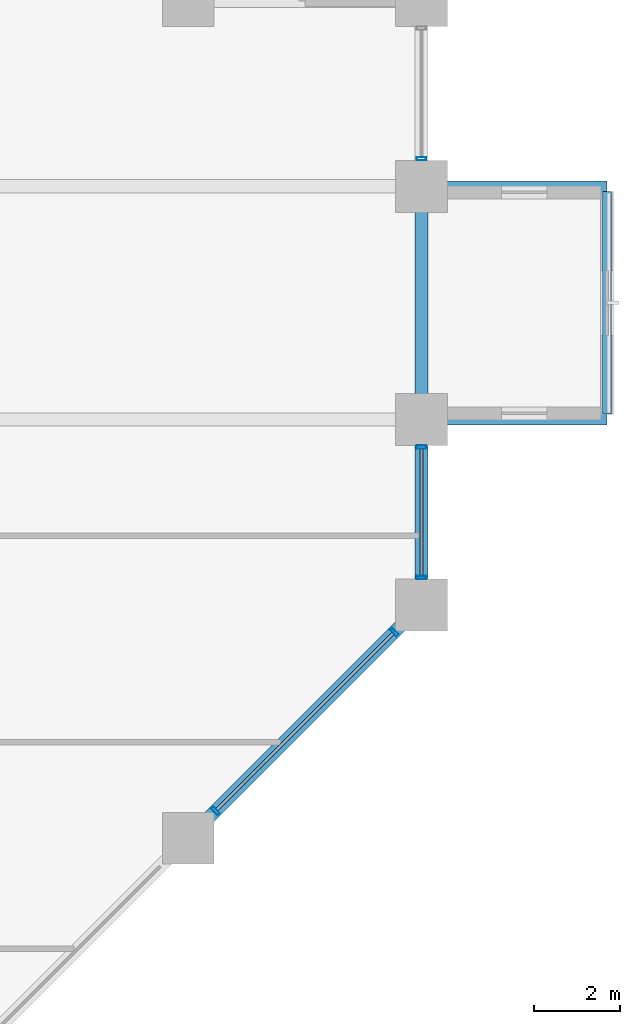
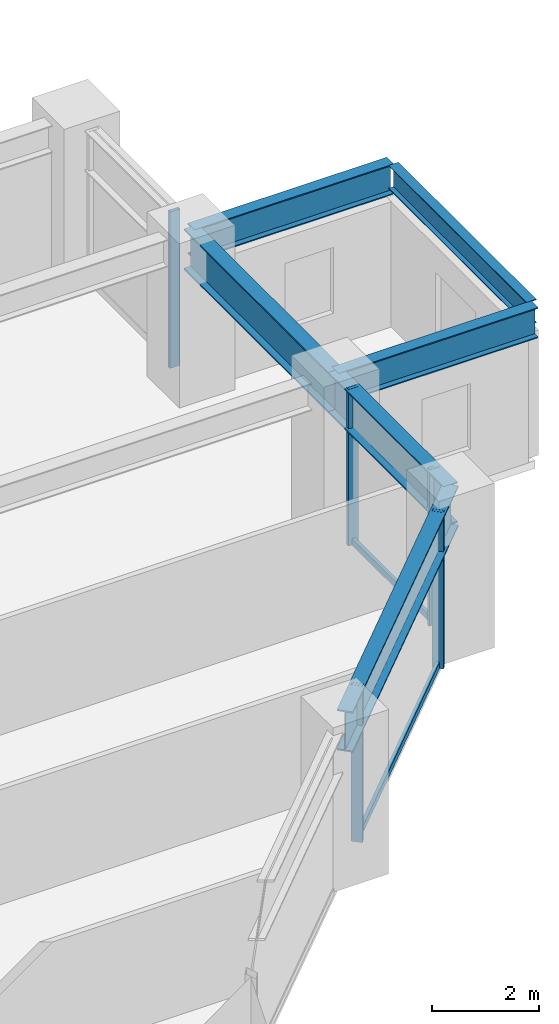
# One storey, part 17 of 28: 7 members, 6 beams, 3 elements without a shape of their own.
"""IFC4 building model written with IfcOpenShell, lengths in metres."""

from ifc_helpers import new_model, si_unit, direction, frame, origin, origin_2d, place, context, subcontext, project, spatial, hollow_rectangle, i_section, extrude, material, layer, layer_set, material_profile, profile_set, type_object, element, aggregate, save


model = new_model("IFC4")

# Units and contexts
model_context = context("Model", 3, precision=1e-05, world=origin(), true_north=direction((0.0, 1.0)))
body_context = subcontext(model_context, "Body", "Model", "MODEL_VIEW")
ifc_project = project(units=[si_unit("LENGTHUNIT", "METRE"), si_unit("AREAUNIT", "SQUARE_METRE"), si_unit("VOLUMEUNIT", "CUBIC_METRE"), si_unit("PLANEANGLEUNIT", "RADIAN"), si_unit("MASSUNIT", "GRAM", prefix="KILO")], contexts=[model_context])

# Site, building, storey
site_placement = place(None, origin())
site = spatial("IfcSite", under=ifc_project, at=site_placement, CompositionType="ELEMENT")
building_placement = place(site_placement, origin())
building = spatial("IfcBuilding", under=site, at=building_placement, Name="Surkhivell Harbour Commons", CompositionType="ELEMENT")
storey_placement = place(building_placement, frame((0.0, 0.0, 63.75)))
storey = spatial("IfcBuildingStorey", under=building, at=storey_placement, Name="L16", CompositionType="ELEMENT", Elevation=63.75)

# Beams
ifc_material_1 = material(Name="Steel S460", Category="steel")
ifc_material_profile_1 = material_profile(ifc_material_1, i_section(OverallWidth=0.256103515625, OverallDepth=0.693115234375, WebThickness=0.014404296875, FlangeThickness=0.023681640625, at=origin_2d()), Name="UB686x254x170")
ifc_profile_set_1 = profile_set([ifc_material_profile_1], Name="Steel S460")
beam_type_1 = type_object("IfcBeamType", Name="BM-CNT-686", PredefinedType="BEAM", material=ifc_profile_set_1)
for number, where, z_axis, x_axis, name in (
    (1, (32.39990234375, 10.800048828125, 3.223388671875), (1.0, 0.0, 0.0), (0.0, 1.0, 0.0), "L16 Box Cantilever Outrigger (32.4,10.8)"),
    (2, (32.39990234375, 16.199951171875, 3.223388671875), (1.0, 0.0, 0.0), (0.0, 1.0, 0.0), "L16 Box Cantilever Outrigger (32.4,16.2)"),
):
    element("IfcBeam", number, at=place(storey_placement, frame(where, z_axis=z_axis, x_axis=x_axis)), inside=storey, type_object=beam_type_1, Name=name, PredefinedType="BEAM", context=body_context, shape_type="SweptSolid", body=[
        extrude(i_section(OverallWidth=0.256103515625, OverallDepth=0.693115234375, WebThickness=0.014404296875, FlangeThickness=0.023681640625, at=origin_2d()), origin(), (0.0, 0.0, 1.0), 4.300048828125),
    ])
ifc_material_2 = material(Name="Steel S355", Category="steel")
ifc_material_profile_2 = material_profile(ifc_material_2, i_section(OverallWidth=0.2099609375, OverallDepth=0.537109375, WebThickness=0.0107421875, FlangeThickness=0.017333984375, at=origin_2d()), Name="UB533x210x101")
ifc_profile_set_2 = profile_set([ifc_material_profile_2], Name="Steel S355")
beam_type_2 = type_object("IfcBeamType", Name="BM-GRD-533B", PredefinedType="BEAM", material=ifc_profile_set_2)
beam_1_placement = place(storey_placement, frame((36.699951171875, 10.922119140625, 3.301513671875), z_axis=(0.0, 1.0, 0.0), x_axis=(-1.0, 0.0, 0.0)))
element("IfcBeam", 3, at=beam_1_placement, inside=storey, type_object=beam_type_2, Name="L16 Box Rim Spandrel (36.7,10.8)", PredefinedType="BEAM", context=body_context, shape_type="SweptSolid", body=[
    extrude(i_section(OverallWidth=0.2099609375, OverallDepth=0.537109375, WebThickness=0.0107421875, FlangeThickness=0.017333984375, at=origin_2d()), origin(), (0.0, 0.0, 1.0), 5.15576171875),
])
ifc_material_profile_3 = material_profile(ifc_material_1, i_section(OverallWidth=0.30810546875, OverallDepth=0.927001953125, WebThickness=0.01953125, FlangeThickness=0.031982421875, at=origin_2d()), Name="UB914x305x289")
ifc_profile_set_3 = profile_set([ifc_material_profile_3], Name="Steel S460")
beam_type_3 = type_object("IfcBeamType", Name="BM-SPN-914B", PredefinedType="SPANDREL", material=ifc_profile_set_3)
beam_2_placement = place(storey_placement, frame((27.0, 1.10009765625, 3.1064453125), z_axis=(0.707106781187, 0.707106781187, 0.0), x_axis=(-0.707106781187, 0.707106781187, 0.0)))
element("IfcBeam", 4, at=beam_2_placement, inside=storey, type_object=beam_type_3, Name="L16 Tube Spandrel (27.0,1.1)", PredefinedType="SPANDREL", context=body_context, shape_type="SweptSolid", body=[
    extrude(i_section(OverallWidth=0.30810546875, OverallDepth=0.927001953125, WebThickness=0.01953125, FlangeThickness=0.031982421875, at=origin_2d()), origin(), (0.0, 0.0, 1.0), 7.63671875),
])
beam_3_placement = place(storey_placement, frame((32.39990234375, 6.5, 3.1064453125), z_axis=(0.0, 1.0, 0.0), x_axis=(-1.0, 0.0, 0.0)))
element("IfcBeam", 5, at=beam_3_placement, inside=storey, type_object=beam_type_3, Name="L16 Tube Spandrel (32.4,6.5)", PredefinedType="SPANDREL", context=body_context, shape_type="SweptSolid", body=[
    extrude(i_section(OverallWidth=0.30810546875, OverallDepth=0.927001953125, WebThickness=0.01953125, FlangeThickness=0.031982421875, at=origin_2d()), origin(), (0.0, 0.0, 1.0), 4.300048828125),
])
beam_4_placement = place(storey_placement, frame((32.39990234375, 10.800048828125, 3.1064453125), z_axis=(0.0, 1.0, 0.0), x_axis=(-1.0, 0.0, 0.0)))
element("IfcBeam", 6, at=beam_4_placement, inside=storey, type_object=beam_type_3, Name="L16 Tube Spandrel (32.4,10.8)", PredefinedType="SPANDREL", context=body_context, shape_type="SweptSolid", body=[
    extrude(i_section(OverallWidth=0.30810546875, OverallDepth=0.927001953125, WebThickness=0.01953125, FlangeThickness=0.031982421875, at=origin_2d()), origin(), (0.0, 0.0, 1.0), 5.39990234375),
])

# Curtain wall, members
ifc_material_3 = material(Name="Anodised pale-metal aluminium and insulated glazing", Category="aluminium")
ifc_layer = layer(ifc_material_3, 0.219970703125)
ifc_layer_set = layer_set([ifc_layer], Name="Anodised pale-metal aluminium and insulated glazing")
curtain_wall_type = type_object("IfcCurtainWallType", Name="CW-SYS-Z1", PredefinedType="NOTDEFINED", material=ifc_layer_set)
curtain_wall_1_placement = place(storey_placement, origin())
curtain_wall_1 = element("IfcCurtainWall", 7, at=curtain_wall_1_placement, inside=storey, type_object=curtain_wall_type, Name="L16 Curtain Wall CW-L16-E01", PredefinedType="NOTDEFINED")
ifc_material_4 = material(Name="Anodised pale-metal aluminium alloy 6063-T6", Category="aluminium")
ifc_material_profile_4 = material_profile(ifc_material_4, hollow_rectangle(XDim=0.074951171875, YDim=0.219970703125, WallThickness=0.00390625, at=origin_2d()), Name="ALU-MULL-75x220")
ifc_profile_set_4 = profile_set([ifc_material_profile_4], Name="Anodised pale-metal aluminium alloy 6063-T6")
member_type_1 = type_object("IfcMemberType", Name="CWM-220", PredefinedType="MULLION", material=ifc_profile_set_4)
member_1_placement = place(storey_placement, frame((27.628173828125, 1.728271484375, 0.0), z_axis=(0.0, 0.0, 1.0), x_axis=(0.707106781187, 0.707106781187, 0.0)))
member_1 = element("IfcMember", 8, at=member_1_placement, type_object=member_type_1, Name="CW-Z1 mullion 7", PredefinedType="MULLION", context=body_context, shape_type="SweptSolid", body=[
    extrude(hollow_rectangle(XDim=0.074951171875, YDim=0.219970703125, WallThickness=0.00390625, at=origin_2d()), origin(), (0.0, 0.0, 1.0), 3.570068359375),
])
member_2_placement = place(storey_placement, frame((31.771728515625, 5.871826171875, 0.0), z_axis=(0.0, 0.0, 1.0), x_axis=(0.707106781187, 0.707106781187, 0.0)))
member_2 = element("IfcMember", 9, at=member_2_placement, type_object=member_type_1, Name="CW-Z1 mullion 8", PredefinedType="MULLION", context=body_context, shape_type="SweptSolid", body=[
    extrude(hollow_rectangle(XDim=0.074951171875, YDim=0.219970703125, WallThickness=0.00390625, at=origin_2d()), origin(), (0.0, 0.0, 1.0), 3.570068359375),
])

curtain_wall_2_placement = place(storey_placement, origin())
curtain_wall_2 = element("IfcCurtainWall", 10, at=curtain_wall_2_placement, inside=storey, type_object=curtain_wall_type, Name="L16 Curtain Wall CW-L16-E02R1", PredefinedType="NOTDEFINED")
member_3_placement = place(storey_placement, frame((32.39990234375, 7.139404296875, 0.0), z_axis=(0.0, 0.0, 1.0), x_axis=(0.0, 1.0, 0.0)))
member_3 = element("IfcMember", 11, at=member_3_placement, type_object=member_type_1, Name="CW-Z1 mullion 1", PredefinedType="MULLION", context=body_context, shape_type="SweptSolid", body=[
    extrude(hollow_rectangle(XDim=0.074951171875, YDim=0.219970703125, WallThickness=0.00390625, at=origin_2d()), origin(), (0.0, 0.0, 1.0), 3.570068359375),
])
member_4_placement = place(storey_placement, frame((32.39990234375, 10.160400390625, 0.0), z_axis=(0.0, 0.0, 1.0), x_axis=(0.0, 1.0, 0.0)))
member_4 = element("IfcMember", 12, at=member_4_placement, type_object=member_type_1, Name="CW-Z1 mullion 2", PredefinedType="MULLION", context=body_context, shape_type="SweptSolid", body=[
    extrude(hollow_rectangle(XDim=0.074951171875, YDim=0.219970703125, WallThickness=0.00390625, at=origin_2d()), origin(), (0.0, 0.0, 1.0), 3.570068359375),
])

# Curtain wall, member
curtain_wall_3_placement = place(storey_placement, origin())
curtain_wall_3 = element("IfcCurtainWall", 13, at=curtain_wall_3_placement, inside=storey, type_object=curtain_wall_type, Name="L16 Curtain Wall CW-L16-E02R2", PredefinedType="NOTDEFINED")
member_5_placement = place(storey_placement, frame((32.39990234375, 16.839599609375, 0.0), z_axis=(0.0, 0.0, 1.0), x_axis=(0.0, 1.0, 0.0)))
member_5 = element("IfcMember", 14, at=member_5_placement, type_object=member_type_1, Name="CW-Z1 mullion 1", PredefinedType="MULLION", context=body_context, shape_type="SweptSolid", body=[
    extrude(hollow_rectangle(XDim=0.074951171875, YDim=0.219970703125, WallThickness=0.00390625, at=origin_2d()), origin(), (0.0, 0.0, 1.0), 3.570068359375),
])
aggregate(curtain_wall_3, [member_5])

# Member
ifc_material_profile_5 = material_profile(ifc_material_4, hollow_rectangle(XDim=0.074951171875, YDim=0.14990234375, WallThickness=0.00341796875, at=origin_2d()), Name="ALU-TRAN-75x150")
ifc_profile_set_5 = profile_set([ifc_material_profile_5], Name="Anodised pale-metal aluminium alloy 6063-T6")
member_type_2 = type_object("IfcMemberType", Name="CWT-150", PredefinedType="USERDEFINED", material=ifc_profile_set_5)
member_6_placement = place(storey_placement, frame((27.65478515625, 1.7548828125, 0.074951171875), z_axis=(0.707106781187, 0.707106781187, 0.0), x_axis=(-0.707106781187, 0.707106781187, 0.0)))
member_6 = element("IfcMember", 15, at=member_6_placement, type_object=member_type_2, Name="CW-Z1 transom 7.1", ObjectType="TRANSOM", PredefinedType="USERDEFINED", context=body_context, shape_type="SweptSolid", body=[
    extrude(hollow_rectangle(XDim=0.074951171875, YDim=0.14990234375, WallThickness=0.00341796875, at=origin_2d()), origin(), (0.0, 0.0, 1.0), 5.78466796875),
])

aggregate(curtain_wall_1, [member_1, member_2, member_6])

member_7_placement = place(storey_placement, frame((32.39990234375, 7.177001953125, 0.074951171875), z_axis=(0.0, 1.0, 0.0), x_axis=(-1.0, 0.0, 0.0)))
member_7 = element("IfcMember", 16, at=member_7_placement, type_object=member_type_2, Name="CW-Z1 transom 1.1", ObjectType="TRANSOM", PredefinedType="USERDEFINED", context=body_context, shape_type="SweptSolid", body=[
    extrude(hollow_rectangle(XDim=0.074951171875, YDim=0.14990234375, WallThickness=0.00341796875, at=origin_2d()), origin(), (0.0, 0.0, 1.0), 2.946044921875),
])

aggregate(curtain_wall_2, [member_3, member_4, member_7])

save(model, "model.ifc")
